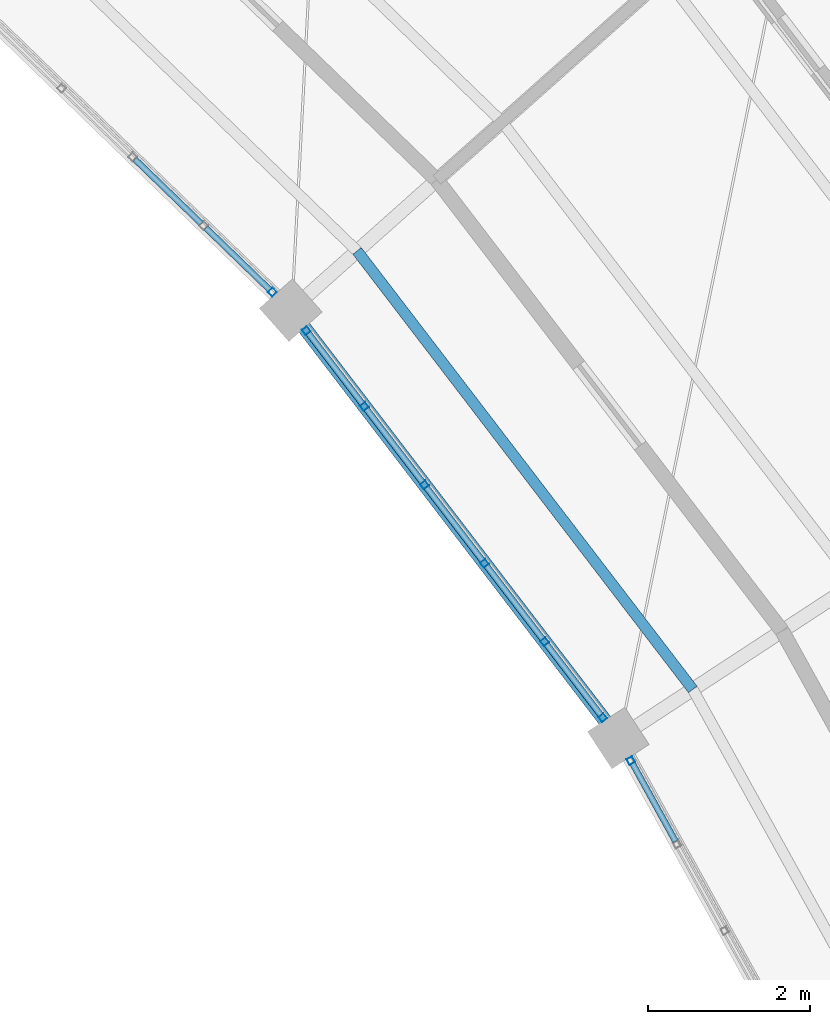
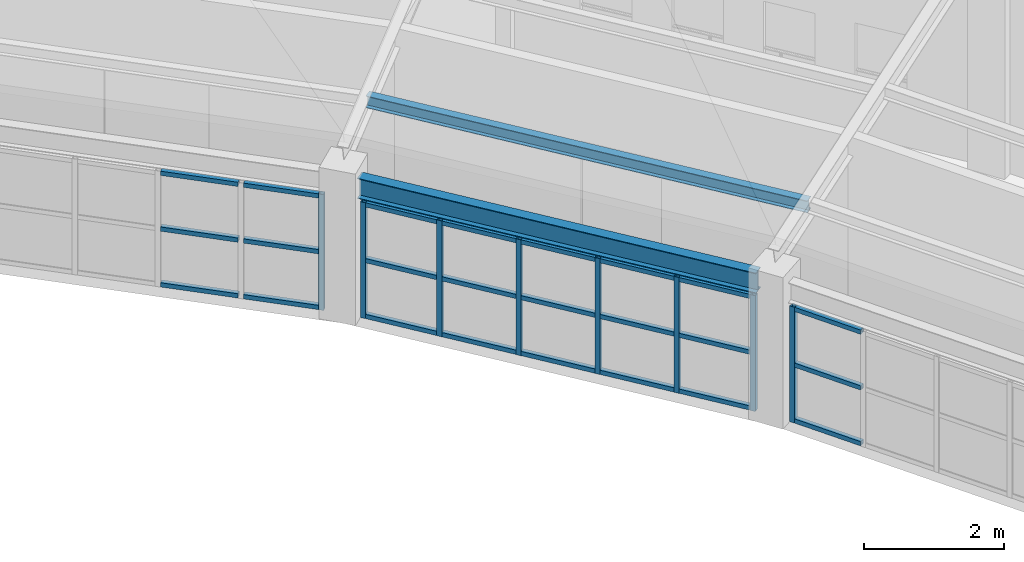
# One storey, part 83 of 149: 33 members, 1 beam, 3 elements without a shape of their own.
"""IFC4 building model written with IfcOpenShell, lengths in metres."""

from ifc_helpers import new_model, si_unit, direction, frame, origin, origin_2d, place, context, subcontext, project, spatial, hollow_rectangle, i_section, extrude, material, material_profile, profile_set, type_object, element, aggregate, save


model = new_model("IFC4")

# Units and contexts
model_context = context("Model", 3, precision=1e-05, world=origin(), true_north=direction((0.0, 1.0)))
body_context = subcontext(model_context, "Body", "Model", "MODEL_VIEW")
ifc_project = project(units=[si_unit("LENGTHUNIT", "METRE"), si_unit("AREAUNIT", "SQUARE_METRE"), si_unit("VOLUMEUNIT", "CUBIC_METRE"), si_unit("PLANEANGLEUNIT", "RADIAN"), si_unit("MASSUNIT", "GRAM", prefix="KILO")], contexts=[model_context])

# Site, building, storey
site_placement = place(None, origin())
site = spatial("IfcSite", under=ifc_project, at=site_placement, CompositionType="ELEMENT")
building_placement = place(site_placement, origin())
building = spatial("IfcBuilding", under=site, at=building_placement, Name="Celadon Cloister-Ring School", CompositionType="ELEMENT")
storey_placement = place(building_placement, frame((0.0, 0.0, 12.5)))
storey = spatial("IfcBuildingStorey", under=building, at=storey_placement, Name="L03", CompositionType="ELEMENT", Elevation=12.5)

# Curtain wall, member
ifc_material_1 = material(Name="Aluminium EN AW-6063 T6", Category="aluminium")
curtain_wall_type = type_object("IfcCurtainWallType", Name="CW-02", PredefinedType="USERDEFINED", material=ifc_material_1)
curtain_wall_1_placement = place(storey_placement, origin())
curtain_wall_1 = element("IfcCurtainWall", 1, at=curtain_wall_1_placement, inside=storey, type_object=curtain_wall_type, Name="Curtain Wall 0075", ObjectType="CURTAIN WALL", PredefinedType="USERDEFINED")
ifc_material_2 = material(Name="Aluminium EN AW-6063 T6", Category="aluminium")
ifc_material_profile_1 = material_profile(ifc_material_2, hollow_rectangle(XDim=0.080078125, YDim=0.080078125, WallThickness=0.00390625, at=origin_2d()), Name="RHS80X80X4")
ifc_profile_set_1 = profile_set([ifc_material_profile_1], Name="Aluminium EN AW-6063 T6")
member_type_1 = type_object("IfcMemberType", Name="CM-03", PredefinedType="MULLION", material=ifc_profile_set_1)
member_1_placement = place(storey_placement, frame((124.812255859375, 83.35595703125, 0.0), z_axis=(0.0, 0.0, 1.0), x_axis=(-0.875128442804, -0.483890699018, 0.0)))
member_1 = element("IfcMember", 2, at=member_1_placement, type_object=member_type_1, Name="CW-02 mullion 6", PredefinedType="MULLION", context=body_context, shape_type="SweptSolid", body=[
    extrude(hollow_rectangle(XDim=0.080078125, YDim=0.080078125, WallThickness=0.00390625, at=origin_2d()), origin(), (0.0, 0.0, 1.0), 2.02001953125),
])

# Curtain wall, members
curtain_wall_2_placement = place(storey_placement, origin())
curtain_wall_2 = element("IfcCurtainWall", 3, at=curtain_wall_2_placement, inside=storey, type_object=curtain_wall_type, Name="Curtain Wall 0076", ObjectType="CURTAIN WALL", PredefinedType="USERDEFINED")
member_2_placement = place(storey_placement, frame((124.464599609375, 83.8876953125, 0.0), z_axis=(0.0, 0.0, 1.0), x_axis=(-0.793930253825, -0.608008842091, 0.0)))
member_2 = element("IfcMember", 4, at=member_2_placement, type_object=member_type_1, Name="CW-02 mullion 1", PredefinedType="MULLION", context=body_context, shape_type="SweptSolid", body=[
    extrude(hollow_rectangle(XDim=0.080078125, YDim=0.080078125, WallThickness=0.00390625, at=origin_2d()), origin(), (0.0, 0.0, 1.0), 2.02001953125),
])
member_3_placement = place(storey_placement, frame((123.74609375, 84.826171875, 0.0), z_axis=(0.0, 0.0, 1.0), x_axis=(-0.793930253825, -0.608008842091, 0.0)))
member_3 = element("IfcMember", 5, at=member_3_placement, type_object=member_type_1, Name="CW-02 mullion 2", PredefinedType="MULLION", context=body_context, shape_type="SweptSolid", body=[
    extrude(hollow_rectangle(XDim=0.080078125, YDim=0.080078125, WallThickness=0.00390625, at=origin_2d()), origin(), (0.0, 0.0, 1.0), 2.02001953125),
])
member_4_placement = place(storey_placement, frame((123.0029296875, 85.79638671875, 0.0), z_axis=(0.0, 0.0, 1.0), x_axis=(-0.793930253825, -0.608008842091, 0.0)))
member_4 = element("IfcMember", 6, at=member_4_placement, type_object=member_type_1, Name="CW-02 mullion 3", PredefinedType="MULLION", context=body_context, shape_type="SweptSolid", body=[
    extrude(hollow_rectangle(XDim=0.080078125, YDim=0.080078125, WallThickness=0.00390625, at=origin_2d()), origin(), (0.0, 0.0, 1.0), 2.02001953125),
])
member_5_placement = place(storey_placement, frame((122.260009765625, 86.7666015625, 0.0), z_axis=(0.0, 0.0, 1.0), x_axis=(-0.793930253825, -0.608008842091, 0.0)))
member_5 = element("IfcMember", 7, at=member_5_placement, type_object=member_type_1, Name="CW-02 mullion 4", PredefinedType="MULLION", context=body_context, shape_type="SweptSolid", body=[
    extrude(hollow_rectangle(XDim=0.080078125, YDim=0.080078125, WallThickness=0.00390625, at=origin_2d()), origin(), (0.0, 0.0, 1.0), 2.02001953125),
])
member_6_placement = place(storey_placement, frame((121.51708984375, 87.73681640625, 0.0), z_axis=(0.0, 0.0, 1.0), x_axis=(-0.793930253825, -0.608008842091, 0.0)))
member_6 = element("IfcMember", 8, at=member_6_placement, type_object=member_type_1, Name="CW-02 mullion 5", PredefinedType="MULLION", context=body_context, shape_type="SweptSolid", body=[
    extrude(hollow_rectangle(XDim=0.080078125, YDim=0.080078125, WallThickness=0.00390625, at=origin_2d()), origin(), (0.0, 0.0, 1.0), 2.02001953125),
])
member_7_placement = place(storey_placement, frame((120.79833984375, 88.67529296875, 0.0), z_axis=(0.0, 0.0, 1.0), x_axis=(-0.793930253825, -0.608008842091, 0.0)))
member_7 = element("IfcMember", 9, at=member_7_placement, type_object=member_type_1, Name="CW-02 mullion 6", PredefinedType="MULLION", context=body_context, shape_type="SweptSolid", body=[
    extrude(hollow_rectangle(XDim=0.080078125, YDim=0.080078125, WallThickness=0.00390625, at=origin_2d()), origin(), (0.0, 0.0, 1.0), 2.02001953125),
])

# Curtain wall, member
curtain_wall_3_placement = place(storey_placement, origin())
curtain_wall_3 = element("IfcCurtainWall", 10, at=curtain_wall_3_placement, inside=storey, type_object=curtain_wall_type, Name="Curtain Wall 0077", ObjectType="CURTAIN WALL", PredefinedType="USERDEFINED")
member_8_placement = place(storey_placement, frame((120.376220703125, 89.14990234375, 0.0), z_axis=(0.0, 0.0, 1.0), x_axis=(-0.695473229624, -0.718552007078, 0.0)))
member_8 = element("IfcMember", 11, at=member_8_placement, type_object=member_type_1, Name="CW-02 mullion 1", PredefinedType="MULLION", context=body_context, shape_type="SweptSolid", body=[
    extrude(hollow_rectangle(XDim=0.080078125, YDim=0.080078125, WallThickness=0.00390625, at=origin_2d()), origin(), (0.0, 0.0, 1.0), 2.02001953125),
])

# Member
ifc_material_3 = material(Name="Aluminium EN AW-6063 T6", Category="aluminium")
ifc_material_profile_2 = material_profile(ifc_material_3, hollow_rectangle(XDim=0.074951171875, YDim=0.074951171875, WallThickness=0.00390625, at=origin_2d()), Name="RHS75X75X4")
ifc_profile_set_2 = profile_set([ifc_material_profile_2], Name="Aluminium EN AW-6063 T6")
member_type_2 = type_object("IfcMemberType", Name="CTM-03", PredefinedType="USERDEFINED", material=ifc_profile_set_2)
member_9_placement = place(storey_placement, frame((125.36474609375, 82.356689453125, 0.03759765625), z_axis=(-0.483703978858, 0.87523166124, 0.0), x_axis=(-0.87523166124, -0.483703978858, 0.0)))
member_9 = element("IfcMember", 12, at=member_9_placement, type_object=member_type_2, Name="CW-02 transom 5.1", ObjectType="TRANSOM", PredefinedType="USERDEFINED", context=body_context, shape_type="SweptSolid", body=[
    extrude(hollow_rectangle(XDim=0.074951171875, YDim=0.074951171875, WallThickness=0.00390625, at=origin_2d()), origin(), (0.0, 0.0, 1.0), 1.101806640625),
])

member_10_placement = place(storey_placement, frame((125.36474609375, 82.356689453125, 1.010009765625), z_axis=(-0.483703978858, 0.87523166124, 0.0), x_axis=(-0.87523166124, -0.483703978858, 0.0)))
member_10 = element("IfcMember", 13, at=member_10_placement, type_object=member_type_2, Name="CW-02 transom 5.2", ObjectType="TRANSOM", PredefinedType="USERDEFINED", context=body_context, shape_type="SweptSolid", body=[
    extrude(hollow_rectangle(XDim=0.074951171875, YDim=0.074951171875, WallThickness=0.00390625, at=origin_2d()), origin(), (0.0, 0.0, 1.0), 1.101806640625),
])

member_11_placement = place(storey_placement, frame((125.36474609375, 82.356689453125, 1.982421875), z_axis=(-0.483703978858, 0.87523166124, 0.0), x_axis=(-0.87523166124, -0.483703978858, 0.0)))
member_11 = element("IfcMember", 14, at=member_11_placement, type_object=member_type_2, Name="CW-02 transom 5.3", ObjectType="TRANSOM", PredefinedType="USERDEFINED", context=body_context, shape_type="SweptSolid", body=[
    extrude(hollow_rectangle(XDim=0.074951171875, YDim=0.074951171875, WallThickness=0.00390625, at=origin_2d()), origin(), (0.0, 0.0, 1.0), 1.101806640625),
])

aggregate(curtain_wall_1, [member_1, member_9, member_10, member_11])

member_12_placement = place(storey_placement, frame((124.4404296875, 83.91943359375, 0.03759765625), z_axis=(-0.608050144339, 0.793898621972, 0.0), x_axis=(-0.793898621972, -0.608050144339, 0.0)))
member_12 = element("IfcMember", 15, at=member_12_placement, type_object=member_type_2, Name="CW-02 transom 1.1", ObjectType="TRANSOM", PredefinedType="USERDEFINED", context=body_context, shape_type="SweptSolid", body=[
    extrude(hollow_rectangle(XDim=0.074951171875, YDim=0.074951171875, WallThickness=0.00390625, at=origin_2d()), origin(), (0.0, 0.0, 1.0), 1.10205078125),
])

member_13_placement = place(storey_placement, frame((124.4404296875, 83.91943359375, 1.010009765625), z_axis=(-0.608050144339, 0.793898621972, 0.0), x_axis=(-0.793898621972, -0.608050144339, 0.0)))
member_13 = element("IfcMember", 16, at=member_13_placement, type_object=member_type_2, Name="CW-02 transom 1.2", ObjectType="TRANSOM", PredefinedType="USERDEFINED", context=body_context, shape_type="SweptSolid", body=[
    extrude(hollow_rectangle(XDim=0.074951171875, YDim=0.074951171875, WallThickness=0.00390625, at=origin_2d()), origin(), (0.0, 0.0, 1.0), 1.10205078125),
])

member_14_placement = place(storey_placement, frame((124.4404296875, 83.91943359375, 1.982421875), z_axis=(-0.608050144339, 0.793898621972, 0.0), x_axis=(-0.793898621972, -0.608050144339, 0.0)))
member_14 = element("IfcMember", 17, at=member_14_placement, type_object=member_type_2, Name="CW-02 transom 1.3", ObjectType="TRANSOM", PredefinedType="USERDEFINED", context=body_context, shape_type="SweptSolid", body=[
    extrude(hollow_rectangle(XDim=0.074951171875, YDim=0.074951171875, WallThickness=0.00390625, at=origin_2d()), origin(), (0.0, 0.0, 1.0), 1.10205078125),
])

member_15_placement = place(storey_placement, frame((123.7216796875, 84.85791015625, 0.03759765625), z_axis=(-0.607973675545, 0.793957183886, 0.0), x_axis=(-0.793957183886, -0.607973675545, 0.0)))
member_15 = element("IfcMember", 18, at=member_15_placement, type_object=member_type_2, Name="CW-02 transom 2.1", ObjectType="TRANSOM", PredefinedType="USERDEFINED", context=body_context, shape_type="SweptSolid", body=[
    extrude(hollow_rectangle(XDim=0.074951171875, YDim=0.074951171875, WallThickness=0.00390625, at=origin_2d()), origin(), (0.0, 0.0, 1.0), 1.14208984375),
])

member_16_placement = place(storey_placement, frame((123.7216796875, 84.85791015625, 1.010009765625), z_axis=(-0.607973675545, 0.793957183886, 0.0), x_axis=(-0.793957183886, -0.607973675545, 0.0)))
member_16 = element("IfcMember", 19, at=member_16_placement, type_object=member_type_2, Name="CW-02 transom 2.2", ObjectType="TRANSOM", PredefinedType="USERDEFINED", context=body_context, shape_type="SweptSolid", body=[
    extrude(hollow_rectangle(XDim=0.074951171875, YDim=0.074951171875, WallThickness=0.00390625, at=origin_2d()), origin(), (0.0, 0.0, 1.0), 1.14208984375),
])

member_17_placement = place(storey_placement, frame((123.7216796875, 84.85791015625, 1.982421875), z_axis=(-0.607973675545, 0.793957183886, 0.0), x_axis=(-0.793957183886, -0.607973675545, 0.0)))
member_17 = element("IfcMember", 20, at=member_17_placement, type_object=member_type_2, Name="CW-02 transom 2.3", ObjectType="TRANSOM", PredefinedType="USERDEFINED", context=body_context, shape_type="SweptSolid", body=[
    extrude(hollow_rectangle(XDim=0.074951171875, YDim=0.074951171875, WallThickness=0.00390625, at=origin_2d()), origin(), (0.0, 0.0, 1.0), 1.14208984375),
])

member_18_placement = place(storey_placement, frame((122.978759765625, 85.828125, 0.03759765625), z_axis=(-0.607973675545, 0.793957183886, 0.0), x_axis=(-0.793957183886, -0.607973675545, 0.0)))
member_18 = element("IfcMember", 21, at=member_18_placement, type_object=member_type_2, Name="CW-02 transom 3.1", ObjectType="TRANSOM", PredefinedType="USERDEFINED", context=body_context, shape_type="SweptSolid", body=[
    extrude(hollow_rectangle(XDim=0.074951171875, YDim=0.074951171875, WallThickness=0.00390625, at=origin_2d()), origin(), (0.0, 0.0, 1.0), 1.14208984375),
])

member_19_placement = place(storey_placement, frame((122.978759765625, 85.828125, 1.010009765625), z_axis=(-0.607973675545, 0.793957183886, 0.0), x_axis=(-0.793957183886, -0.607973675545, 0.0)))
member_19 = element("IfcMember", 22, at=member_19_placement, type_object=member_type_2, Name="CW-02 transom 3.2", ObjectType="TRANSOM", PredefinedType="USERDEFINED", context=body_context, shape_type="SweptSolid", body=[
    extrude(hollow_rectangle(XDim=0.074951171875, YDim=0.074951171875, WallThickness=0.00390625, at=origin_2d()), origin(), (0.0, 0.0, 1.0), 1.14208984375),
])

member_20_placement = place(storey_placement, frame((122.978759765625, 85.828125, 1.982421875), z_axis=(-0.607973675545, 0.793957183886, 0.0), x_axis=(-0.793957183886, -0.607973675545, 0.0)))
member_20 = element("IfcMember", 23, at=member_20_placement, type_object=member_type_2, Name="CW-02 transom 3.3", ObjectType="TRANSOM", PredefinedType="USERDEFINED", context=body_context, shape_type="SweptSolid", body=[
    extrude(hollow_rectangle(XDim=0.074951171875, YDim=0.074951171875, WallThickness=0.00390625, at=origin_2d()), origin(), (0.0, 0.0, 1.0), 1.14208984375),
])

member_21_placement = place(storey_placement, frame((122.235595703125, 86.79833984375, 0.03759765625), z_axis=(-0.607973675545, 0.793957183886, 0.0), x_axis=(-0.793957183886, -0.607973675545, 0.0)))
member_21 = element("IfcMember", 24, at=member_21_placement, type_object=member_type_2, Name="CW-02 transom 4.1", ObjectType="TRANSOM", PredefinedType="USERDEFINED", context=body_context, shape_type="SweptSolid", body=[
    extrude(hollow_rectangle(XDim=0.074951171875, YDim=0.074951171875, WallThickness=0.00390625, at=origin_2d()), origin(), (0.0, 0.0, 1.0), 1.14208984375),
])

member_22_placement = place(storey_placement, frame((122.235595703125, 86.79833984375, 1.010009765625), z_axis=(-0.607973675545, 0.793957183886, 0.0), x_axis=(-0.793957183886, -0.607973675545, 0.0)))
member_22 = element("IfcMember", 25, at=member_22_placement, type_object=member_type_2, Name="CW-02 transom 4.2", ObjectType="TRANSOM", PredefinedType="USERDEFINED", context=body_context, shape_type="SweptSolid", body=[
    extrude(hollow_rectangle(XDim=0.074951171875, YDim=0.074951171875, WallThickness=0.00390625, at=origin_2d()), origin(), (0.0, 0.0, 1.0), 1.14208984375),
])

member_23_placement = place(storey_placement, frame((122.235595703125, 86.79833984375, 1.982421875), z_axis=(-0.607973675545, 0.793957183886, 0.0), x_axis=(-0.793957183886, -0.607973675545, 0.0)))
member_23 = element("IfcMember", 26, at=member_23_placement, type_object=member_type_2, Name="CW-02 transom 4.3", ObjectType="TRANSOM", PredefinedType="USERDEFINED", context=body_context, shape_type="SweptSolid", body=[
    extrude(hollow_rectangle(XDim=0.074951171875, YDim=0.074951171875, WallThickness=0.00390625, at=origin_2d()), origin(), (0.0, 0.0, 1.0), 1.14208984375),
])

member_24_placement = place(storey_placement, frame((121.49267578125, 87.7685546875, 0.03759765625), z_axis=(-0.607910502717, 0.794005554569, 0.0), x_axis=(-0.794005554569, -0.607910502717, 0.0)))
member_24 = element("IfcMember", 27, at=member_24_placement, type_object=member_type_2, Name="CW-02 transom 5.1", ObjectType="TRANSOM", PredefinedType="USERDEFINED", context=body_context, shape_type="SweptSolid", body=[
    extrude(hollow_rectangle(XDim=0.074951171875, YDim=0.074951171875, WallThickness=0.00390625, at=origin_2d()), origin(), (0.0, 0.0, 1.0), 1.10205078125),
])

member_25_placement = place(storey_placement, frame((121.49267578125, 87.7685546875, 1.010009765625), z_axis=(-0.607910502717, 0.794005554569, 0.0), x_axis=(-0.794005554569, -0.607910502717, 0.0)))
member_25 = element("IfcMember", 28, at=member_25_placement, type_object=member_type_2, Name="CW-02 transom 5.2", ObjectType="TRANSOM", PredefinedType="USERDEFINED", context=body_context, shape_type="SweptSolid", body=[
    extrude(hollow_rectangle(XDim=0.074951171875, YDim=0.074951171875, WallThickness=0.00390625, at=origin_2d()), origin(), (0.0, 0.0, 1.0), 1.10205078125),
])

member_26_placement = place(storey_placement, frame((121.49267578125, 87.7685546875, 1.982421875), z_axis=(-0.607910502717, 0.794005554569, 0.0), x_axis=(-0.794005554569, -0.607910502717, 0.0)))
member_26 = element("IfcMember", 29, at=member_26_placement, type_object=member_type_2, Name="CW-02 transom 5.3", ObjectType="TRANSOM", PredefinedType="USERDEFINED", context=body_context, shape_type="SweptSolid", body=[
    extrude(hollow_rectangle(XDim=0.074951171875, YDim=0.074951171875, WallThickness=0.00390625, at=origin_2d()), origin(), (0.0, 0.0, 1.0), 1.10205078125),
])

aggregate(curtain_wall_2, [member_2, member_3, member_4, member_5, member_6, member_7, member_12, member_13, member_14, member_15, member_16, member_17, member_18, member_19, member_20, member_21, member_22, member_23, member_24, member_25, member_26])

member_27_placement = place(storey_placement, frame((120.347412109375, 89.177734375, 0.03759765625), z_axis=(-0.718534275975, 0.695491548654, 0.0), x_axis=(-0.695491548654, -0.718534275975, 0.0)))
member_27 = element("IfcMember", 30, at=member_27_placement, type_object=member_type_2, Name="CW-02 transom 1.1", ObjectType="TRANSOM", PredefinedType="USERDEFINED", context=body_context, shape_type="SweptSolid", body=[
    extrude(hollow_rectangle(XDim=0.074951171875, YDim=0.074951171875, WallThickness=0.00390625, at=origin_2d()), origin(), (0.0, 0.0, 1.0), 1.101806640625),
])

member_28_placement = place(storey_placement, frame((120.347412109375, 89.177734375, 1.010009765625), z_axis=(-0.718534275975, 0.695491548654, 0.0), x_axis=(-0.695491548654, -0.718534275975, 0.0)))
member_28 = element("IfcMember", 31, at=member_28_placement, type_object=member_type_2, Name="CW-02 transom 1.2", ObjectType="TRANSOM", PredefinedType="USERDEFINED", context=body_context, shape_type="SweptSolid", body=[
    extrude(hollow_rectangle(XDim=0.074951171875, YDim=0.074951171875, WallThickness=0.00390625, at=origin_2d()), origin(), (0.0, 0.0, 1.0), 1.101806640625),
])

member_29_placement = place(storey_placement, frame((120.347412109375, 89.177734375, 1.982421875), z_axis=(-0.718534275975, 0.695491548654, 0.0), x_axis=(-0.695491548654, -0.718534275975, 0.0)))
member_29 = element("IfcMember", 32, at=member_29_placement, type_object=member_type_2, Name="CW-02 transom 1.3", ObjectType="TRANSOM", PredefinedType="USERDEFINED", context=body_context, shape_type="SweptSolid", body=[
    extrude(hollow_rectangle(XDim=0.074951171875, YDim=0.074951171875, WallThickness=0.00390625, at=origin_2d()), origin(), (0.0, 0.0, 1.0), 1.101806640625),
])

member_30_placement = place(storey_placement, frame((119.498291015625, 89.99951171875, 0.03759765625), z_axis=(-0.718557336857, 0.695467722938, 0.0), x_axis=(-0.695467722938, -0.718557336857, 0.0)))
member_30 = element("IfcMember", 33, at=member_30_placement, type_object=member_type_2, Name="CW-02 transom 2.1", ObjectType="TRANSOM", PredefinedType="USERDEFINED", context=body_context, shape_type="SweptSolid", body=[
    extrude(hollow_rectangle(XDim=0.074951171875, YDim=0.074951171875, WallThickness=0.00390625, at=origin_2d()), origin(), (0.0, 0.0, 1.0), 1.141845703125),
])

member_31_placement = place(storey_placement, frame((119.498291015625, 89.99951171875, 1.010009765625), z_axis=(-0.718557336857, 0.695467722938, 0.0), x_axis=(-0.695467722938, -0.718557336857, 0.0)))
member_31 = element("IfcMember", 34, at=member_31_placement, type_object=member_type_2, Name="CW-02 transom 2.2", ObjectType="TRANSOM", PredefinedType="USERDEFINED", context=body_context, shape_type="SweptSolid", body=[
    extrude(hollow_rectangle(XDim=0.074951171875, YDim=0.074951171875, WallThickness=0.00390625, at=origin_2d()), origin(), (0.0, 0.0, 1.0), 1.141845703125),
])

member_32_placement = place(storey_placement, frame((119.498291015625, 89.99951171875, 1.982421875), z_axis=(-0.718557336857, 0.695467722938, 0.0), x_axis=(-0.695467722938, -0.718557336857, 0.0)))
member_32 = element("IfcMember", 35, at=member_32_placement, type_object=member_type_2, Name="CW-02 transom 2.3", ObjectType="TRANSOM", PredefinedType="USERDEFINED", context=body_context, shape_type="SweptSolid", body=[
    extrude(hollow_rectangle(XDim=0.074951171875, YDim=0.074951171875, WallThickness=0.00390625, at=origin_2d()), origin(), (0.0, 0.0, 1.0), 1.141845703125),
])

aggregate(curtain_wall_3, [member_8, member_27, member_28, member_29, member_30, member_31, member_32])

# Beam
ifc_material_4 = material(Name="Structural steel S355JR", Category="steel")
ifc_material_profile_3 = material_profile(ifc_material_4, i_section(OverallWidth=0.1708984375, OverallDepth=0.35498046875, WebThickness=0.007080078125, FlangeThickness=0.01171875, at=origin_2d()), Name="W360X51")
ifc_profile_set_3 = profile_set([ifc_material_profile_3], Name="Structural steel S355JR")
beam_type = type_object("IfcBeamType", Name="GT-08", PredefinedType="USERDEFINED", material=ifc_profile_set_3)
beam_placement = place(storey_placement, frame((124.506103515625, 83.8330078125, 2.27197265625), z_axis=(-0.607887885185, 0.794022870606, 0.0), x_axis=(-0.794022870606, -0.607887885185, 0.0)))
element("IfcBeam", 36, at=beam_placement, inside=storey, type_object=beam_type, Name="Beam 0586", ObjectType="GIRDER", PredefinedType="USERDEFINED", context=body_context, shape_type="SweptSolid", body=[
    extrude(i_section(OverallWidth=0.1708984375, OverallDepth=0.35498046875, WebThickness=0.007080078125, FlangeThickness=0.01171875, at=origin_2d()), origin(), (0.0, 0.0, 1.0), 6.167236328125),
])

# Member
ifc_material_5 = material(Name="Structural steel S355JR", Category="steel")
ifc_material_profile_4 = material_profile(ifc_material_5, i_section(OverallWidth=0.133056640625, OverallDepth=0.20703125, WebThickness=0.005859375, FlangeThickness=0.00830078125, at=origin_2d()), Name="W200X27")
ifc_profile_set_4 = profile_set([ifc_material_profile_4], Name="Structural steel S355JR")
member_type_3 = type_object("IfcMemberType", Name="MP-04", PredefinedType="PURLIN", material=ifc_profile_set_4)
member_33_placement = place(storey_placement, frame((125.577880859375, 84.237060546875, 2.970947265625), z_axis=(-0.607909094194, 0.794006632967, 0.0), x_axis=(-0.794006632967, -0.607909094194, 0.0)))
element("IfcMember", 37, at=member_33_placement, inside=storey, type_object=member_type_3, Name="Structural Member 0242", PredefinedType="PURLIN", context=body_context, shape_type="SweptSolid", body=[
    extrude(i_section(OverallWidth=0.133056640625, OverallDepth=0.20703125, WebThickness=0.005859375, FlangeThickness=0.00830078125, at=origin_2d()), origin(), (0.0, 0.0, 1.0), 6.829833984375),
])

save(model, "model.ifc")
